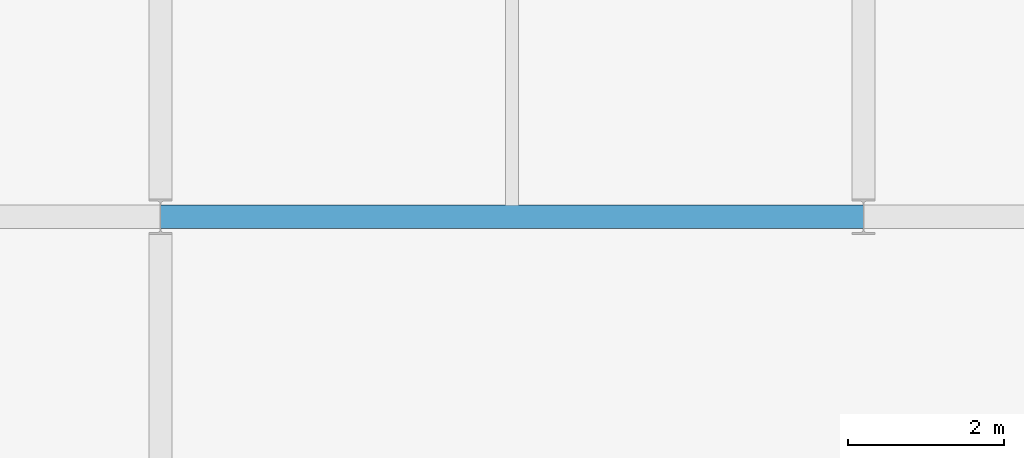
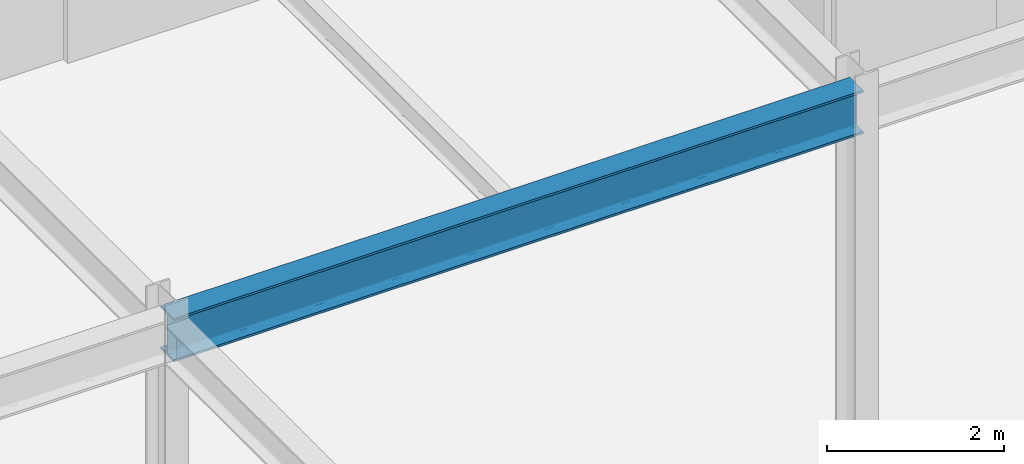
# One storey, part 26 of 146: 1 beam.
"""IFC4 building model written with IfcOpenShell, lengths in metres."""

from ifc_helpers import new_model, si_unit, direction, frame, origin, origin_2d, place, context, subcontext, project, spatial, i_section, extrude, material, material_profile, profile_set, type_object, element, save


model = new_model("IFC4")

# Units and contexts
model_context = context("Model", 3, precision=1e-05, world=origin(), true_north=direction((0.0, 1.0)))
body_context = subcontext(model_context, "Body", "Model", "MODEL_VIEW")
ifc_project = project(units=[si_unit("LENGTHUNIT", "METRE"), si_unit("AREAUNIT", "SQUARE_METRE"), si_unit("VOLUMEUNIT", "CUBIC_METRE"), si_unit("PLANEANGLEUNIT", "RADIAN"), si_unit("MASSUNIT", "GRAM", prefix="KILO")], contexts=[model_context])

# Site, building, storey
site_placement = place(None, origin())
site = spatial("IfcSite", under=ifc_project, at=site_placement, CompositionType="ELEMENT")
building_placement = place(site_placement, origin())
building = spatial("IfcBuilding", under=site, at=building_placement, Name="Kaldris Quays Convention Centre", CompositionType="ELEMENT")
storey_placement = place(building_placement, origin())
storey = spatial("IfcBuildingStorey", under=building, at=storey_placement, Name="L00", CompositionType="ELEMENT", Elevation=0.0)

# Beam
ifc_material = material(Name="Steel S355J2", Category="steel")
ifc_material_profile = material_profile(ifc_material, i_section(OverallWidth=0.300048828125, OverallDepth=0.60009765625, WebThickness=0.015380859375, FlangeThickness=0.030029296875, FilletRadius=0.027099609375, at=origin_2d()), Name="HEB 600")
ifc_profile_set = profile_set([ifc_material_profile], Name="Steel S355J2")
beam_type = type_object("IfcBeamType", Name="STRUCTURAL BEAM BM05", PredefinedType="BEAM", material=ifc_profile_set)
beam_placement = place(storey_placement, frame((29.0009765625, 34.0, 5.423095703125), z_axis=(1.0, 0.0, 0.0), x_axis=(0.0, 1.0, 0.0)))
element("IfcBeam", 1, at=beam_placement, inside=storey, type_object=beam_type, Name="L00 Girder BM05 14", PredefinedType="BEAM", context=body_context, shape_type="SweptSolid", body=[
    extrude(i_section(OverallWidth=0.300048828125, OverallDepth=0.60009765625, WebThickness=0.015380859375, FlangeThickness=0.030029296875, FilletRadius=0.027099609375, at=origin_2d()), origin(), (0.0, 0.0, 1.0), 8.998046875),
])

save(model, "model.ifc")
